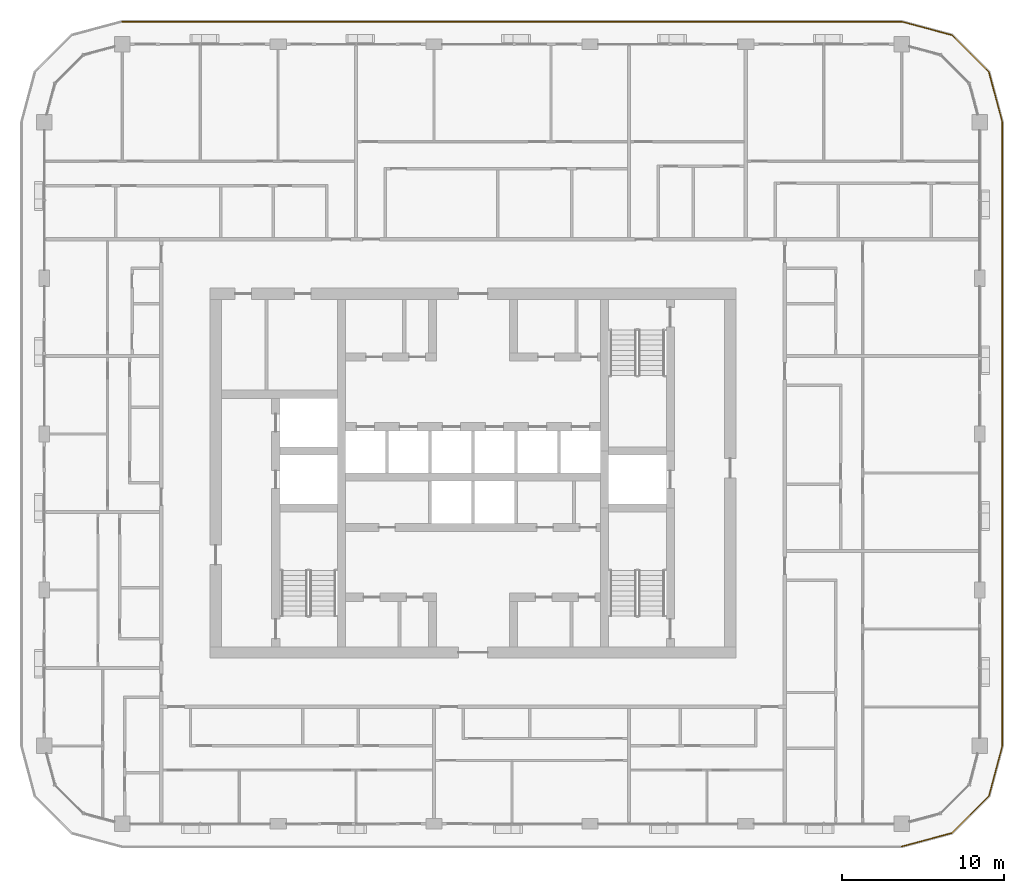
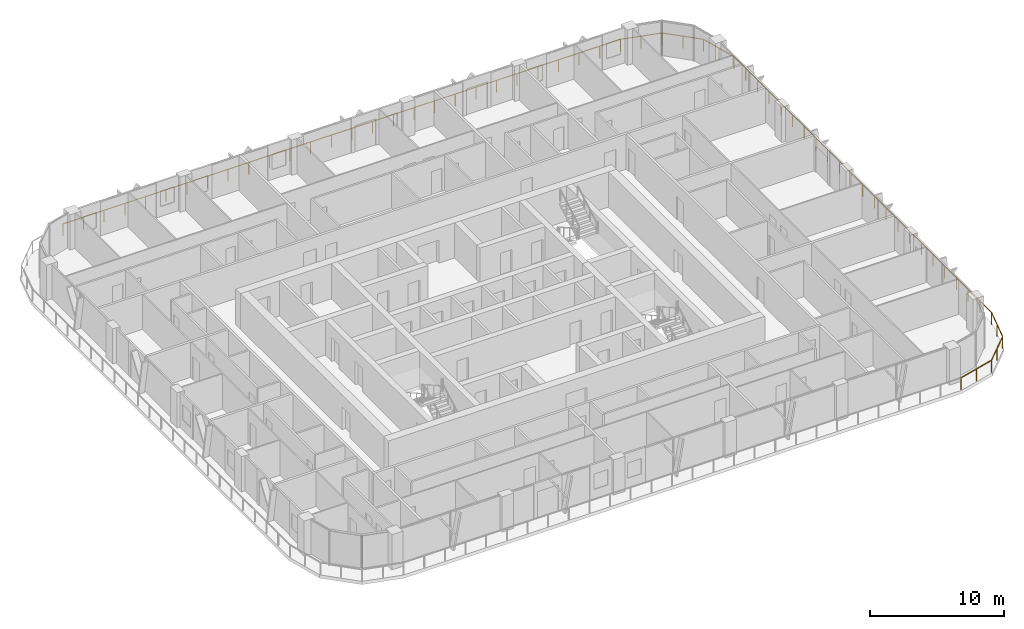
# One storey, part 21 of 23: 1 railing.
"""IFC4 building model written with IfcOpenShell, lengths in metres."""

from ifc_helpers import new_model, si_unit, direction, frame, origin, origin_2d, place, context, subcontext, project, spatial, circle, extrude, material, type_object, element, save


model = new_model("IFC4")

# Units and contexts
model_context = context("Model", 3, precision=1e-05, world=origin(), true_north=direction((0.0, 1.0)))
body_context = subcontext(model_context, "Body", "Model", "MODEL_VIEW")
ifc_project = project(units=[si_unit("LENGTHUNIT", "METRE"), si_unit("AREAUNIT", "SQUARE_METRE"), si_unit("VOLUMEUNIT", "CUBIC_METRE"), si_unit("PLANEANGLEUNIT", "RADIAN"), si_unit("MASSUNIT", "GRAM", prefix="KILO")], contexts=[model_context])

# Site, building, storey
site_placement = place(None, origin())
site = spatial("IfcSite", under=ifc_project, at=site_placement, CompositionType="ELEMENT")
building_placement = place(site_placement, origin())
building = spatial("IfcBuilding", under=site, at=building_placement, Name="Madar Terraces", CompositionType="ELEMENT")
storey_placement = place(building_placement, frame((0.0, 0.0, 215.800048828125)))
storey = spatial("IfcBuildingStorey", under=building, at=storey_placement, Name="L56", CompositionType="ELEMENT", Elevation=215.800048828125)

# Railing
ifc_material = material(Name="Glass, safety glazing, with stainless steel posts", Category="steel")
railing_type = type_object("IfcRailingType", Name="Balcony glass guard 1100", PredefinedType="GUARDRAIL", material=ifc_material)
railing_placement = place(storey_placement, frame((57.60009765625, 3.39990234375, 0.0)))
element("IfcRailing", 1, at=railing_placement, inside=storey, type_object=railing_type, Name="Balcony guard", PredefinedType="GUARDRAIL", context=body_context, shape_type="SweptSolid", body=[
    extrude(circle(Radius=0.02392578125, at=origin_2d()), frame((0.0, 0.0, 1.076171875), z_axis=(0.965909675762, 0.25887931217, 0.0), x_axis=(-0.25887931217, 0.965909675762, 0.0)), (0.0, 0.0, 1.0), 3.209228515625),
    extrude(circle(Radius=0.02392578125, at=origin_2d()), frame((3.099853515625, 0.830810546875, 1.076171875), z_axis=(0.707144815061, 0.707068745266, 0.0), x_axis=(-0.707068745266, 0.707144815061, 0.0)), (0.0, 0.0, 1.0), 3.20947265625),
    extrude(circle(Radius=0.02392578125, at=origin_2d()), frame((5.369384765625, 3.10009765625, 1.076171875), z_axis=(0.258789317819, 0.9659337912, 0.0), x_axis=(-0.9659337912, 0.258789317819, 0.0)), (0.0, 0.0, 1.0), 3.20947265625),
    extrude(circle(Radius=0.02392578125, at=origin_2d()), frame((6.199951171875, 6.2001953125, 1.076171875), z_axis=(0.0, 1.0, 0.0), x_axis=(-1.0, 0.0, 0.0)), (0.0, 0.0, 1.0), 38.39990234375),
    extrude(circle(Radius=0.02392578125, at=origin_2d()), frame((6.199951171875, 44.60009765625, 1.076171875), z_axis=(-0.258789317819, 0.9659337912, 0.0), x_axis=(-0.9659337912, -0.258789317819, 0.0)), (0.0, 0.0, 1.0), 3.20947265625),
    extrude(circle(Radius=0.02392578125, at=origin_2d()), frame((5.369384765625, 47.7001953125, 1.076171875), z_axis=(-0.707144815061, 0.707068745266, 0.0), x_axis=(-0.707068745266, -0.707144815061, 0.0)), (0.0, 0.0, 1.0), 3.20947265625),
    extrude(circle(Radius=0.02392578125, at=origin_2d()), frame((3.099853515625, 49.969482421875, 1.076171875), z_axis=(-0.965928696102, 0.258808334578, 0.0), x_axis=(-0.258808334578, -0.965928696102, 0.0)), (0.0, 0.0, 1.0), 3.209228515625),
    extrude(circle(Radius=0.02392578125, at=origin_2d()), frame((0.0, 50.800048828125, 1.076171875), z_axis=(-1.0, 0.0, 0.0), x_axis=(0.0, -1.0, 0.0)), (0.0, 0.0, 1.0), 48.0),
    extrude(circle(Radius=0.02099609375, at=origin_2d()), origin(), (0.0, 0.0, 1.0), 1.052001953125),
    extrude(circle(Radius=0.02099609375, at=origin_2d()), frame((1.5498046875, 0.41552734375, 0.0)), (0.0, 0.0, 1.0), 1.052001953125),
    extrude(circle(Radius=0.02099609375, at=origin_2d()), frame((3.099853515625, 0.830810546875, 0.0)), (0.0, 0.0, 1.0), 1.052001953125),
    extrude(circle(Radius=0.02099609375, at=origin_2d()), frame((4.234619140625, 1.96533203125, 0.0)), (0.0, 0.0, 1.0), 1.052001953125),
    extrude(circle(Radius=0.02099609375, at=origin_2d()), frame((5.369384765625, 3.10009765625, 0.0)), (0.0, 0.0, 1.0), 1.052001953125),
    extrude(circle(Radius=0.02099609375, at=origin_2d()), frame((5.78466796875, 4.650146484375, 0.0)), (0.0, 0.0, 1.0), 1.052001953125),
    extrude(circle(Radius=0.02099609375, at=origin_2d()), frame((6.199951171875, 6.2001953125, 0.0)), (0.0, 0.0, 1.0), 1.052001953125),
    extrude(circle(Radius=0.02099609375, at=origin_2d()), frame((6.199951171875, 7.945556640625, 0.0)), (0.0, 0.0, 1.0), 1.052001953125),
    extrude(circle(Radius=0.02099609375, at=origin_2d()), frame((6.199951171875, 9.691162109375, 0.0)), (0.0, 0.0, 1.0), 1.052001953125),
    extrude(circle(Radius=0.02099609375, at=origin_2d()), frame((6.199951171875, 11.4365234375, 0.0)), (0.0, 0.0, 1.0), 1.052001953125),
    extrude(circle(Radius=0.02099609375, at=origin_2d()), frame((6.199951171875, 13.181884765625, 0.0)), (0.0, 0.0, 1.0), 1.052001953125),
    extrude(circle(Radius=0.02099609375, at=origin_2d()), frame((6.199951171875, 14.927490234375, 0.0)), (0.0, 0.0, 1.0), 1.052001953125),
    extrude(circle(Radius=0.02099609375, at=origin_2d()), frame((6.199951171875, 16.6728515625, 0.0)), (0.0, 0.0, 1.0), 1.052001953125),
    extrude(circle(Radius=0.02099609375, at=origin_2d()), frame((6.199951171875, 18.41845703125, 0.0)), (0.0, 0.0, 1.0), 1.052001953125),
    extrude(circle(Radius=0.02099609375, at=origin_2d()), frame((6.199951171875, 20.163818359375, 0.0)), (0.0, 0.0, 1.0), 1.052001953125),
    extrude(circle(Radius=0.02099609375, at=origin_2d()), frame((6.199951171875, 21.9091796875, 0.0)), (0.0, 0.0, 1.0), 1.052001953125),
    extrude(circle(Radius=0.02099609375, at=origin_2d()), frame((6.199951171875, 23.65478515625, 0.0)), (0.0, 0.0, 1.0), 1.052001953125),
    extrude(circle(Radius=0.02099609375, at=origin_2d()), frame((6.199951171875, 25.400146484375, 0.0)), (0.0, 0.0, 1.0), 1.052001953125),
    extrude(circle(Radius=0.02099609375, at=origin_2d()), frame((6.199951171875, 27.1455078125, 0.0)), (0.0, 0.0, 1.0), 1.052001953125),
    extrude(circle(Radius=0.02099609375, at=origin_2d()), frame((6.199951171875, 28.89111328125, 0.0)), (0.0, 0.0, 1.0), 1.052001953125),
    extrude(circle(Radius=0.02099609375, at=origin_2d()), frame((6.199951171875, 30.636474609375, 0.0)), (0.0, 0.0, 1.0), 1.052001953125),
    extrude(circle(Radius=0.02099609375, at=origin_2d()), frame((6.199951171875, 32.3818359375, 0.0)), (0.0, 0.0, 1.0), 1.052001953125),
    extrude(circle(Radius=0.02099609375, at=origin_2d()), frame((6.199951171875, 34.12744140625, 0.0)), (0.0, 0.0, 1.0), 1.052001953125),
    extrude(circle(Radius=0.02099609375, at=origin_2d()), frame((6.199951171875, 35.872802734375, 0.0)), (0.0, 0.0, 1.0), 1.052001953125),
    extrude(circle(Radius=0.02099609375, at=origin_2d()), frame((6.199951171875, 37.618408203125, 0.0)), (0.0, 0.0, 1.0), 1.052001953125),
    extrude(circle(Radius=0.02099609375, at=origin_2d()), frame((6.199951171875, 39.36376953125, 0.0)), (0.0, 0.0, 1.0), 1.052001953125),
    extrude(circle(Radius=0.02099609375, at=origin_2d()), frame((6.199951171875, 41.109130859375, 0.0)), (0.0, 0.0, 1.0), 1.052001953125),
    extrude(circle(Radius=0.02099609375, at=origin_2d()), frame((6.199951171875, 42.854736328125, 0.0)), (0.0, 0.0, 1.0), 1.052001953125),
    extrude(circle(Radius=0.02099609375, at=origin_2d()), frame((6.199951171875, 44.60009765625, 0.0)), (0.0, 0.0, 1.0), 1.052001953125),
    extrude(circle(Radius=0.02099609375, at=origin_2d()), frame((5.78466796875, 46.150146484375, 0.0)), (0.0, 0.0, 1.0), 1.052001953125),
    extrude(circle(Radius=0.02099609375, at=origin_2d()), frame((5.369384765625, 47.7001953125, 0.0)), (0.0, 0.0, 1.0), 1.052001953125),
    extrude(circle(Radius=0.02099609375, at=origin_2d()), frame((4.234619140625, 48.8349609375, 0.0)), (0.0, 0.0, 1.0), 1.052001953125),
    extrude(circle(Radius=0.02099609375, at=origin_2d()), frame((3.099853515625, 49.969482421875, 0.0)), (0.0, 0.0, 1.0), 1.052001953125),
    extrude(circle(Radius=0.02099609375, at=origin_2d()), frame((1.5498046875, 50.384765625, 0.0)), (0.0, 0.0, 1.0), 1.052001953125),
    extrude(circle(Radius=0.02099609375, at=origin_2d()), frame((0.0, 50.800048828125, 0.0)), (0.0, 0.0, 1.0), 1.052001953125),
    extrude(circle(Radius=0.02099609375, at=origin_2d()), frame((-1.77783203125, 50.800048828125, 0.0)), (0.0, 0.0, 1.0), 1.052001953125),
    extrude(circle(Radius=0.02099609375, at=origin_2d()), frame((-3.5556640625, 50.800048828125, 0.0)), (0.0, 0.0, 1.0), 1.052001953125),
    extrude(circle(Radius=0.02099609375, at=origin_2d()), frame((-5.333251953125, 50.800048828125, 0.0)), (0.0, 0.0, 1.0), 1.052001953125),
    extrude(circle(Radius=0.02099609375, at=origin_2d()), frame((-7.111083984375, 50.800048828125, 0.0)), (0.0, 0.0, 1.0), 1.052001953125),
    extrude(circle(Radius=0.02099609375, at=origin_2d()), frame((-8.888916015625, 50.800048828125, 0.0)), (0.0, 0.0, 1.0), 1.052001953125),
    extrude(circle(Radius=0.02099609375, at=origin_2d()), frame((-10.666748046875, 50.800048828125, 0.0)), (0.0, 0.0, 1.0), 1.052001953125),
    extrude(circle(Radius=0.02099609375, at=origin_2d()), frame((-12.4443359375, 50.800048828125, 0.0)), (0.0, 0.0, 1.0), 1.052001953125),
    extrude(circle(Radius=0.02099609375, at=origin_2d()), frame((-14.22216796875, 50.800048828125, 0.0)), (0.0, 0.0, 1.0), 1.052001953125),
    extrude(circle(Radius=0.02099609375, at=origin_2d()), frame((-16.0, 50.800048828125, 0.0)), (0.0, 0.0, 1.0), 1.052001953125),
    extrude(circle(Radius=0.02099609375, at=origin_2d()), frame((-17.77783203125, 50.800048828125, 0.0)), (0.0, 0.0, 1.0), 1.052001953125),
    extrude(circle(Radius=0.02099609375, at=origin_2d()), frame((-19.5556640625, 50.800048828125, 0.0)), (0.0, 0.0, 1.0), 1.052001953125),
    extrude(circle(Radius=0.02099609375, at=origin_2d()), frame((-21.333251953125, 50.800048828125, 0.0)), (0.0, 0.0, 1.0), 1.052001953125),
    extrude(circle(Radius=0.02099609375, at=origin_2d()), frame((-23.111083984375, 50.800048828125, 0.0)), (0.0, 0.0, 1.0), 1.052001953125),
    extrude(circle(Radius=0.02099609375, at=origin_2d()), frame((-24.888916015625, 50.800048828125, 0.0)), (0.0, 0.0, 1.0), 1.052001953125),
    extrude(circle(Radius=0.02099609375, at=origin_2d()), frame((-26.666748046875, 50.800048828125, 0.0)), (0.0, 0.0, 1.0), 1.052001953125),
    extrude(circle(Radius=0.02099609375, at=origin_2d()), frame((-28.4443359375, 50.800048828125, 0.0)), (0.0, 0.0, 1.0), 1.052001953125),
    extrude(circle(Radius=0.02099609375, at=origin_2d()), frame((-30.22216796875, 50.800048828125, 0.0)), (0.0, 0.0, 1.0), 1.052001953125),
    extrude(circle(Radius=0.02099609375, at=origin_2d()), frame((-32.0, 50.800048828125, 0.0)), (0.0, 0.0, 1.0), 1.052001953125),
    extrude(circle(Radius=0.02099609375, at=origin_2d()), frame((-33.77783203125, 50.800048828125, 0.0)), (0.0, 0.0, 1.0), 1.052001953125),
    extrude(circle(Radius=0.02099609375, at=origin_2d()), frame((-35.5556640625, 50.800048828125, 0.0)), (0.0, 0.0, 1.0), 1.052001953125),
    extrude(circle(Radius=0.02099609375, at=origin_2d()), frame((-37.333251953125, 50.800048828125, 0.0)), (0.0, 0.0, 1.0), 1.052001953125),
    extrude(circle(Radius=0.02099609375, at=origin_2d()), frame((-39.111083984375, 50.800048828125, 0.0)), (0.0, 0.0, 1.0), 1.052001953125),
    extrude(circle(Radius=0.02099609375, at=origin_2d()), frame((-40.888916015625, 50.800048828125, 0.0)), (0.0, 0.0, 1.0), 1.052001953125),
    extrude(circle(Radius=0.02099609375, at=origin_2d()), frame((-42.666748046875, 50.800048828125, 0.0)), (0.0, 0.0, 1.0), 1.052001953125),
    extrude(circle(Radius=0.02099609375, at=origin_2d()), frame((-44.4443359375, 50.800048828125, 0.0)), (0.0, 0.0, 1.0), 1.052001953125),
    extrude(circle(Radius=0.02099609375, at=origin_2d()), frame((-46.22216796875, 50.800048828125, 0.0)), (0.0, 0.0, 1.0), 1.052001953125),
    extrude(circle(Radius=0.02099609375, at=origin_2d()), frame((-48.0, 50.800048828125, 0.0)), (0.0, 0.0, 1.0), 1.052001953125),
])

save(model, "model.ifc")
